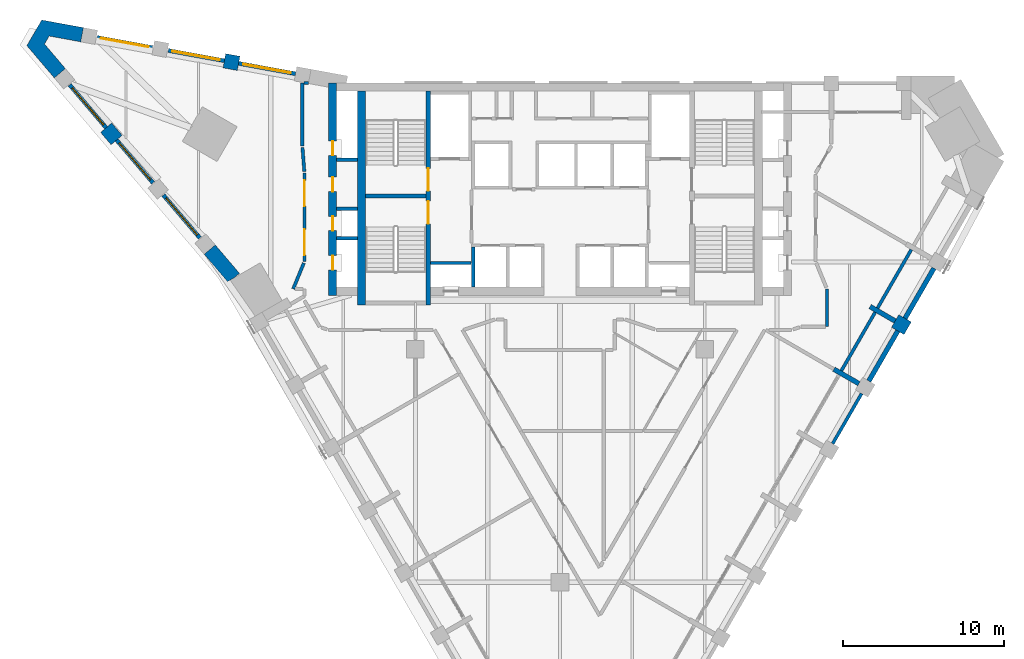
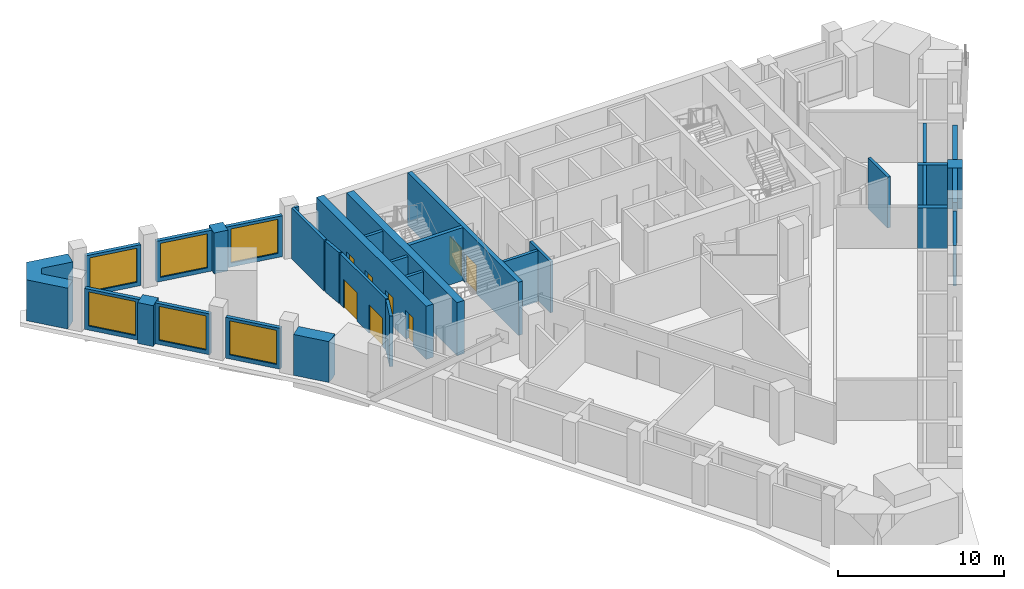
# One storey, part 5 of 9: 33 walls, 8 doors, 6 windows, 14 openings.
"""IFC4 building model written with IfcOpenShell, lengths in metres."""

from ifc_helpers import new_model, si_unit, direction, frame, frame_2d, origin, place, context, subcontext, project, spatial, polyline, rectangle, outline, extrude, material, layer, layer_set, type_object, element, fill, save


model = new_model("IFC4")

# Units and contexts
model_context = context("Model", 3, precision=1e-05, world=origin(), true_north=direction((0.0, 1.0)))
body_context = subcontext(model_context, "Body", "Model", "MODEL_VIEW")
ifc_project = project(units=[si_unit("LENGTHUNIT", "METRE"), si_unit("AREAUNIT", "SQUARE_METRE"), si_unit("VOLUMEUNIT", "CUBIC_METRE"), si_unit("PLANEANGLEUNIT", "RADIAN"), si_unit("MASSUNIT", "GRAM", prefix="KILO")], contexts=[model_context])

# Site, building, storey
site_placement = place(None, origin())
site = spatial("IfcSite", under=ifc_project, at=site_placement, CompositionType="ELEMENT")
building_placement = place(site_placement, origin())
building = spatial("IfcBuilding", under=site, at=building_placement, Name="Calabash Gate Tower", CompositionType="ELEMENT")
storey_placement = place(building_placement, frame((0.0, 0.0, 196.39990234375)))
storey = spatial("IfcBuildingStorey", under=building, at=storey_placement, Name="L46", CompositionType="ELEMENT", Elevation=196.39990234375)

# Walls
ifc_material_1 = material(Name="Terracotta brick masonry, exposed face", Category="masonry")
ifc_layer_1 = layer(ifc_material_1, 0.89990234375)
ifc_layer_set_1 = layer_set([ifc_layer_1], Name="Brick end wall 900")
wall_type_1 = type_object("IfcWallType", Name="Brick end wall 900", PredefinedType="SOLIDWALL", material=ifc_layer_set_1)
wall_1_placement = place(storey_placement, frame((21.4609375, 4.415771484375, 0.0), z_axis=(0.0, 0.0, 1.0), x_axis=(-0.499902469156, -0.866081705922, 0.0)))
element("IfcWall", 1, at=wall_1_placement, inside=storey, type_object=wall_type_1, Name="Brick pier S13 SE2.7", PredefinedType="SOLIDWALL", context=body_context, shape_type="SweptSolid", body=[
    extrude(rectangle(XDim=0.900146484375, YDim=0.89990234375, at=frame_2d((0.4501953125, 0.0))), origin(), (0.0, 0.0, 1.0), 3.0),
])
wall_2_placement = place(storey_placement, frame((-20.52099609375, 19.91796875, 0.0), z_axis=(0.0, 0.0, 1.0), x_axis=(0.180126650564, 0.983643426124, 0.0)))
element("IfcWall", 2, at=wall_2_placement, inside=storey, type_object=wall_type_1, Name="Brick pier S13 wedge5.1", PredefinedType="SOLIDWALL", context=body_context, shape_type="SweptSolid", body=[
    extrude(rectangle(XDim=0.89990234375, YDim=0.89990234375, at=frame_2d((0.449951171875, 0.0))), origin(), (0.0, 0.0, 1.0), 3.0),
])
wall_3_placement = place(storey_placement, frame((-27.587890625, 15.511474609375, 0.0), z_axis=(0.0, 0.0, 1.0), x_axis=(-0.647641360564, 0.761945318305, 0.0)))
element("IfcWall", 3, at=wall_3_placement, inside=storey, type_object=wall_type_1, Name="Brick pier S13 wedge7.1", PredefinedType="SOLIDWALL", context=body_context, shape_type="SweptSolid", body=[
    extrude(rectangle(XDim=1.00390625, YDim=0.89990234375, at=frame_2d((0.501953125, 0.0))), origin(), (0.0, 0.0, 1.0), 3.0),
])
wall_4_placement = place(storey_placement, origin())
element("IfcWall", 4, at=wall_4_placement, inside=storey, type_object=wall_type_1, Name="Brick end wall S13 2", PredefinedType="SOLIDWALL", context=body_context, shape_type="SweptSolid", body=[
    extrude(outline(polyline([(-31.784423828125, 21.978759765625), (-29.816650390625, 21.618896484375), (-29.654541015625, 22.504150390625), (-32.24658203125, 22.978271484375), (-33.168701171875, 21.38134765625), (-31.4619140625, 19.373779296875), (-30.776123046875, 19.956787109375), (-32.072021484375, 21.48095703125), (-31.784423828125, 21.978759765625)])), origin(), (0.0, 0.0, 1.0), 3.0),
])
wall_5_placement = place(storey_placement, origin())
element("IfcWall", 5, at=wall_5_placement, inside=storey, type_object=wall_type_1, Name="Brick end wall S13 3", PredefinedType="SOLIDWALL", context=body_context, shape_type="SweptSolid", body=[
    extrude(outline(polyline([(-19.947998046875, 7.2197265625), (-21.44921875, 8.985595703125), (-22.135009765625, 8.402587890625), (-20.66015625, 6.667724609375), (-20.6806640625, 6.703125), (-20.291015625, 6.92822265625), (-19.947998046875, 7.2197265625)])), origin(), (0.0, 0.0, 1.0), 3.0),
])
ifc_material_2 = material(Name="Terracotta brick masonry, exposed face", Category="masonry")
ifc_layer_2 = layer(ifc_material_2, 0.300048828125)
ifc_layer_set_2 = layer_set([ifc_layer_2], Name="Brick infill panel wall 300")
wall_type_2 = type_object("IfcWallType", Name="Brick infill panel wall 300", PredefinedType="SOLIDWALL", material=ifc_layer_set_2)
for number, where, z_axis, x_axis, name in (
    (6, (19.2109375, 0.5185546875, 0.0), (0.0, 0.0, 1.0), (0.500012057535, 0.866018442252, 0.0), "Brick panel S13 SE2.7"),
    (7, (21.4609375, 4.415771484375, 0.0), (0.0, 0.0, 1.0), (0.500012057535, 0.866018442252, 0.0), "Brick panel S13 SE2.8"),
):
    element("IfcWall", number, at=place(storey_placement, frame(where, z_axis=z_axis, x_axis=x_axis)), inside=storey, type_object=wall_type_2, Name=name, PredefinedType="SOLIDWALL", context=body_context, shape_type="SweptSolid", body=[
        extrude(rectangle(XDim=3.60009765625, YDim=0.300048828125, at=frame_2d((1.800048828125, 0.0))), origin(), (0.0, 0.0, 1.0), 3.0),
    ])
ifc_material_3 = material(Name="Terracotta brick masonry, exposed face", Category="masonry")
ifc_layer_3 = layer(ifc_material_3, 0.300048828125)
ifc_layer_set_3 = layer_set([ifc_layer_3], Name="Brick loggia cheek wall 300")
wall_type_3 = type_object("IfcWallType", Name="Brick loggia cheek wall 300", PredefinedType="SOLIDWALL", material=ifc_layer_set_3)
for number, where, z_axis, x_axis, name in (
    (8, (18.59619140625, 0.353759765625, 0.0), (0.0, 0.0, 1.0), (-0.865989075817, 0.500062916607, 0.0), "Loggia cheek S13 SE2.6"),
    (9, (20.84619140625, 4.2509765625, 0.0), (0.0, 0.0, 1.0), (-0.866047807691, 0.499961193289, 0.0), "Loggia cheek S13 SE2.7"),
):
    element("IfcWall", number, at=place(storey_placement, frame(where, z_axis=z_axis, x_axis=x_axis)), inside=storey, type_object=wall_type_3, Name=name, PredefinedType="SOLIDWALL", context=body_context, shape_type="SweptSolid", body=[
        extrude(rectangle(XDim=1.800048828125, YDim=0.300048828125, at=frame_2d((0.89990234375, 0.0))), origin(), (0.0, 0.0, 1.0), 3.0),
    ])
ifc_material_4 = material(Name="Concrete C70/85", Category="concrete")
ifc_layer_4 = layer(ifc_material_4, 0.25)
ifc_layer_set_4 = layer_set([ifc_layer_4], Name="Core wall 250 Concrete C70/85")
wall_type_4 = type_object("IfcWallType", Name="Core wall 250 Concrete C70/85", PredefinedType="SHEAR", material=ifc_layer_set_4)
wall_6_placement = place(storey_placement, frame((-12.10009765625, 12.027587890625, 0.0), z_axis=(0.0, 0.0, 1.0), x_axis=(1.0, 0.0, 0.0)))
element("IfcWall", 10, at=wall_6_placement, inside=storey, type_object=wall_type_4, Name="Core wall Z4-MIDW L46", PredefinedType="SHEAR", context=body_context, shape_type="SweptSolid", body=[
    extrude(rectangle(XDim=3.75, YDim=0.25, at=frame_2d((1.875, 0.0))), origin(), (0.0, 0.0, 1.0), 3.900146484375),
])

# Wall, openings, doors
ifc_material_5 = material(Name="Concrete C70/85", Category="concrete")
ifc_layer_5 = layer(ifc_material_5, 0.300048828125)
ifc_layer_set_5 = layer_set([ifc_layer_5], Name="Core wall 300 Concrete C70/85")
wall_type_5 = type_object("IfcWallType", Name="Core wall 300 Concrete C70/85", PredefinedType="SHEAR", material=ifc_layer_set_5)
wall_7_placement = place(storey_placement, frame((-8.199951171875, 5.252685546875, 0.0), z_axis=(0.0, 0.0, 1.0), x_axis=(0.0, 1.0, 0.0)))
wall_7 = element("IfcWall", 11, at=wall_7_placement, inside=storey, type_object=wall_type_5, Name="Core wall Z4-PARTW L46", PredefinedType="SHEAR", context=body_context, shape_type="SweptSolid", body=[
    extrude(rectangle(XDim=13.2998046875, YDim=0.300048828125, at=frame_2d((6.64990234375, 0.0))), origin(), (0.0, 0.0, 1.0), 3.900146484375),
])
opening_1_placement = place(wall_7_placement, frame((7.10009765625, 0.0, 0.0)))
opening_1 = element("IfcOpeningElement", 12, at=opening_1_placement, cuts=wall_7, Name="Opening O5-018", PredefinedType="OPENING", context=body_context, shape_type="SweptSolid", body=[
    extrude(rectangle(XDim=1.39990234375, YDim=2.10009765625, at=frame_2d((0.699951171875, 1.050048828125))), frame((0.0, 0.159912109375, 0.0), z_axis=(0.0, -1.0, 0.0), x_axis=(1.0, 0.0, 0.0)), (0.0, 0.0, 1.0), 0.320068359375),
])
opening_2_placement = place(wall_7_placement, frame((5.050048828125, 0.0, 0.0)))
opening_2 = element("IfcOpeningElement", 13, at=opening_2_placement, cuts=wall_7, Name="Opening O5-019", PredefinedType="OPENING", context=body_context, shape_type="SweptSolid", body=[
    extrude(rectangle(XDim=1.39990234375, YDim=2.10009765625, at=frame_2d((0.699951171875, 1.050048828125))), frame((0.0, 0.159912109375, 0.0), z_axis=(0.0, -1.0, 0.0), x_axis=(1.0, 0.0, 0.0)), (0.0, 0.0, 1.0), 0.320068359375),
])
ifc_material_6 = material(Name="Steel fire door set with fire-resisting glazing", Category="steel")
door_type_1 = type_object("IfcDoorType", Name="Fire door D05 1400x2100 FD90", OperationType="NOTDEFINED", PredefinedType="DOOR", material=ifc_material_6)
door_1_placement = place(opening_1_placement, origin())
door_1 = element("IfcDoor", 14, at=door_1_placement, inside=storey, type_object=door_type_1, Name="Exit stair door ST1", OperationType="SINGLE_SWING_LEFT", OverallHeight=2.10009765625, OverallWidth=1.39990234375, PredefinedType="DOOR", context=body_context, shape_type="SweptSolid", body=[
    extrude(rectangle(XDim=1.39990234375, YDim=2.10009765625, at=frame_2d((0.699951171875, 1.050048828125))), frame((0.0, 0.02490234375, 0.0), z_axis=(0.0, -1.0, 0.0), x_axis=(1.0, 0.0, 0.0)), (0.0, 0.0, 1.0), 0.050048828125),
])
fill(opening_1, door_1)
door_2_placement = place(opening_2_placement, origin())
door_2 = element("IfcDoor", 15, at=door_2_placement, inside=storey, type_object=door_type_1, Name="Exit stair door ST2", OperationType="SINGLE_SWING_LEFT", OverallHeight=2.10009765625, OverallWidth=1.39990234375, PredefinedType="DOOR", context=body_context, shape_type="SweptSolid", body=[
    extrude(rectangle(XDim=1.39990234375, YDim=2.10009765625, at=frame_2d((0.699951171875, 1.050048828125))), frame((0.0, 0.02490234375, 0.0), z_axis=(0.0, -1.0, 0.0), x_axis=(1.0, 0.0, 0.0)), (0.0, 0.0, 1.0), 0.050048828125),
])
fill(opening_2, door_2)

# Wall
ifc_material_7 = material(Name="Concrete C70/85", Category="concrete")
ifc_layer_6 = layer(ifc_material_7, 0.5)
ifc_layer_set_6 = layer_set([ifc_layer_6], Name="Core wall 500 Concrete C70/85")
wall_type_6 = type_object("IfcWallType", Name="Core wall 500 Concrete C70/85", PredefinedType="SHEAR", material=ifc_layer_set_6)
wall_8_placement = place(storey_placement, frame((-12.35009765625, 5.252685546875, 0.0), z_axis=(0.0, 0.0, 1.0), x_axis=(0.0, 1.0, 0.0)))
element("IfcWall", 16, at=wall_8_placement, inside=storey, type_object=wall_type_6, Name="Core wall Z4-COLW L46", PredefinedType="SHEAR", context=body_context, shape_type="SweptSolid", body=[
    extrude(rectangle(XDim=13.2998046875, YDim=0.5, at=frame_2d((6.64990234375, 0.0))), origin(), (0.0, 0.0, 1.0), 3.900146484375),
])

# Wall, openings, doors
wall_9_placement = place(storey_placement, frame((-14.14990234375, 5.8525390625, 0.0), z_axis=(0.0, 0.0, 1.0), x_axis=(0.0, 1.0, 0.0)))
wall_9 = element("IfcWall", 17, at=wall_9_placement, inside=storey, type_object=wall_type_6, Name="Core wall Z4-ENDW L46", PredefinedType="SHEAR", context=body_context, shape_type="SweptSolid", body=[
    extrude(rectangle(XDim=13.199951171875, YDim=0.5, at=frame_2d((6.60009765625, 0.0))), origin(), (0.0, 0.0, 1.0), 3.900146484375),
])
opening_3_placement = place(wall_9_placement, frame((1.574951171875, 0.0, 0.0)))
opening_3 = element("IfcOpeningElement", 18, at=opening_3_placement, cuts=wall_9, Name="Opening O5-005", PredefinedType="OPENING", context=body_context, shape_type="SweptSolid", body=[
    extrude(rectangle(XDim=0.89990234375, YDim=2.10009765625, at=frame_2d((0.449951171875, 1.050048828125))), frame((0.0, 0.260009765625, 0.0), z_axis=(0.0, -1.0, 0.0), x_axis=(1.0, 0.0, 0.0)), (0.0, 0.0, 1.0), 0.52001953125),
])
opening_4_placement = place(wall_9_placement, frame((4.014892578125, 0.0, 0.0)))
opening_4 = element("IfcOpeningElement", 19, at=opening_4_placement, cuts=wall_9, Name="Opening O5-006", PredefinedType="OPENING", context=body_context, shape_type="SweptSolid", body=[
    extrude(rectangle(XDim=0.89990234375, YDim=2.10009765625, at=frame_2d((0.449951171875, 1.050048828125))), frame((0.0, 0.260009765625, 0.0), z_axis=(0.0, -1.0, 0.0), x_axis=(1.0, 0.0, 0.0)), (0.0, 0.0, 1.0), 0.52001953125),
])
opening_5_placement = place(wall_9_placement, frame((6.455078125, 0.0, 0.0)))
opening_5 = element("IfcOpeningElement", 20, at=opening_5_placement, cuts=wall_9, Name="Opening O5-007", PredefinedType="OPENING", context=body_context, shape_type="SweptSolid", body=[
    extrude(rectangle(XDim=0.89990234375, YDim=2.10009765625, at=frame_2d((0.449951171875, 1.050048828125))), frame((0.0, 0.260009765625, 0.0), z_axis=(0.0, -1.0, 0.0), x_axis=(1.0, 0.0, 0.0)), (0.0, 0.0, 1.0), 0.52001953125),
])
opening_6_placement = place(wall_9_placement, frame((8.697509765625, 0.0, 0.0)))
opening_6 = element("IfcOpeningElement", 21, at=opening_6_placement, cuts=wall_9, Name="Opening O5-008", PredefinedType="OPENING", context=body_context, shape_type="SweptSolid", body=[
    extrude(rectangle(XDim=0.89990234375, YDim=2.10009765625, at=frame_2d((0.449951171875, 1.050048828125))), frame((0.0, 0.260009765625, 0.0), z_axis=(0.0, -1.0, 0.0), x_axis=(1.0, 0.0, 0.0)), (0.0, 0.0, 1.0), 0.52001953125),
])
ifc_material_8 = material(Name="Steel fire door set with fire-resisting glazing", Category="steel")
door_type_2 = type_object("IfcDoorType", Name="Fire door D06 900x2100 FD60", OperationType="NOTDEFINED", PredefinedType="DOOR", material=ifc_material_8)
door_3_placement = place(opening_3_placement, origin())
door_3 = element("IfcDoor", 22, at=door_3_placement, inside=storey, type_object=door_type_2, Name="Electrical Riser door", OperationType="SINGLE_SWING_LEFT", OverallHeight=2.10009765625, OverallWidth=0.89990234375, PredefinedType="DOOR", context=body_context, shape_type="SweptSolid", body=[
    extrude(rectangle(XDim=0.89990234375, YDim=2.10009765625, at=frame_2d((0.449951171875, 1.050048828125))), frame((0.0, 0.02490234375, 0.0), z_axis=(0.0, -1.0, 0.0), x_axis=(1.0, 0.0, 0.0)), (0.0, 0.0, 1.0), 0.050048828125),
])
fill(opening_3, door_3)
door_4_placement = place(opening_4_placement, origin())
door_4 = element("IfcDoor", 23, at=door_4_placement, inside=storey, type_object=door_type_2, Name="Comms Riser door", OperationType="SINGLE_SWING_LEFT", OverallHeight=2.10009765625, OverallWidth=0.89990234375, PredefinedType="DOOR", context=body_context, shape_type="SweptSolid", body=[
    extrude(rectangle(XDim=0.89990234375, YDim=2.10009765625, at=frame_2d((0.449951171875, 1.050048828125))), frame((0.0, 0.02490234375, 0.0), z_axis=(0.0, -1.0, 0.0), x_axis=(1.0, 0.0, 0.0)), (0.0, 0.0, 1.0), 0.050048828125),
])
fill(opening_4, door_4)
door_5_placement = place(opening_5_placement, origin())
door_5 = element("IfcDoor", 24, at=door_5_placement, inside=storey, type_object=door_type_2, Name="Cleaner's Store door", OperationType="SINGLE_SWING_LEFT", OverallHeight=2.10009765625, OverallWidth=0.89990234375, PredefinedType="DOOR", context=body_context, shape_type="SweptSolid", body=[
    extrude(rectangle(XDim=0.89990234375, YDim=2.10009765625, at=frame_2d((0.449951171875, 1.050048828125))), frame((0.0, 0.02490234375, 0.0), z_axis=(0.0, -1.0, 0.0), x_axis=(1.0, 0.0, 0.0)), (0.0, 0.0, 1.0), 0.050048828125),
])
fill(opening_5, door_5)
door_6_placement = place(opening_6_placement, origin())
door_6 = element("IfcDoor", 25, at=door_6_placement, inside=storey, type_object=door_type_2, Name="Duct Riser door", OperationType="SINGLE_SWING_LEFT", OverallHeight=2.10009765625, OverallWidth=0.89990234375, PredefinedType="DOOR", context=body_context, shape_type="SweptSolid", body=[
    extrude(rectangle(XDim=0.89990234375, YDim=2.10009765625, at=frame_2d((0.449951171875, 1.050048828125))), frame((0.0, 0.02490234375, 0.0), z_axis=(0.0, -1.0, 0.0), x_axis=(1.0, 0.0, 0.0)), (0.0, 0.0, 1.0), 0.050048828125),
])
fill(opening_6, door_6)

# Walls
ifc_material_9 = material(Name="Gypsum board on steel studs, mineral wool", Category="steel")
ifc_layer_7 = layer(ifc_material_9, 0.199951171875)
ifc_layer_set_7 = layer_set([ifc_layer_7], Name="Partition 200 gypsum board EI 60")
wall_type_7 = type_object("IfcWallType", Name="Partition 200 gypsum board EI 60", PredefinedType="PARTITIONING", material=ifc_layer_set_7)
wall_10_placement = place(storey_placement, frame((-16.6005859375, 6.252685546875, 0.0), z_axis=(0.0, 0.0, 1.0), x_axis=(0.380742741509, 0.924681007044, 0.0)))
element("IfcWall", 26, at=wall_10_placement, inside=storey, type_object=wall_type_7, Name="Partition", PredefinedType="PARTITIONING", context=body_context, shape_type="SweptSolid", body=[
    extrude(rectangle(XDim=1.73828125, YDim=0.199951171875, at=frame_2d((0.869140625, 0.0))), origin(), (0.0, 0.0, 1.0), 3.72998046875),
])
wall_11_placement = place(storey_placement, frame((16.6005859375, 3.89990234375, 0.0), z_axis=(0.0, 0.0, 1.0), x_axis=(0.0, 1.0, 0.0)))
element("IfcWall", 27, at=wall_11_placement, inside=storey, type_object=wall_type_7, Name="Partition", PredefinedType="PARTITIONING", context=body_context, shape_type="SweptSolid", body=[
    extrude(rectangle(XDim=2.352783203125, YDim=0.199951171875, at=frame_2d((1.17626953125, 0.0))), origin(), (0.0, 0.0, 1.0), 3.72998046875),
])

# Wall, openings, doors
wall_12_placement = place(storey_placement, frame((-15.900390625, 7.95263671875, 0.0), z_axis=(0.0, 0.0, 1.0), x_axis=(0.0, 1.0, 0.0)))
wall_12 = element("IfcWall", 28, at=wall_12_placement, inside=storey, type_object=wall_type_7, Name="Partition", PredefinedType="PARTITIONING", context=body_context, shape_type="SweptSolid", body=[
    extrude(rectangle(XDim=5.499755859375, YDim=0.199951171875, at=frame_2d((2.75, 0.0))), origin(), (0.0, 0.0, 1.0), 3.72998046875),
])
opening_7_placement = place(wall_12_placement, frame((0.39990234375, 0.0, 0.0)))
opening_7 = element("IfcOpeningElement", 29, at=opening_7_placement, cuts=wall_12, Name="Opening 46-48-006", PredefinedType="OPENING", context=body_context, shape_type="SweptSolid", body=[
    extrude(rectangle(XDim=1.60009765625, YDim=2.10009765625, at=frame_2d((0.800048828125, 1.050048828125))), frame((0.0, 0.10986328125, 0.0), z_axis=(0.0, -1.0, 0.0), x_axis=(1.0, 0.0, 0.0)), (0.0, 0.0, 1.0), 0.219970703125),
])
opening_8_placement = place(wall_12_placement, frame((3.44970703125, 0.0, 0.0)))
opening_8 = element("IfcOpeningElement", 30, at=opening_8_placement, cuts=wall_12, Name="Opening 46-48-007", PredefinedType="OPENING", context=body_context, shape_type="SweptSolid", body=[
    extrude(rectangle(XDim=1.60009765625, YDim=2.10009765625, at=frame_2d((0.800048828125, 1.050048828125))), frame((0.0, 0.10986328125, 0.0), z_axis=(0.0, -1.0, 0.0), x_axis=(1.0, 0.0, 0.0)), (0.0, 0.0, 1.0), 0.219970703125),
])
ifc_material_10 = material(Name="Steel fire door set with fire-resisting glazing", Category="steel")
door_type_3 = type_object("IfcDoorType", Name="LD1 Lounge double door 1600x2100", OperationType="NOTDEFINED", PredefinedType="DOOR", material=ifc_material_10)
door_7_placement = place(opening_7_placement, origin())
door_7 = element("IfcDoor", 31, at=door_7_placement, inside=storey, type_object=door_type_3, Name="Lounge double door", OperationType="DOUBLE_DOOR_SINGLE_SWING", OverallHeight=2.10009765625, OverallWidth=1.60009765625, PredefinedType="DOOR", context=body_context, shape_type="SweptSolid", body=[
    extrude(rectangle(XDim=1.60009765625, YDim=2.10009765625, at=frame_2d((0.800048828125, 1.050048828125))), frame((0.0, 0.02490234375, 0.0), z_axis=(0.0, -1.0, 0.0), x_axis=(1.0, 0.0, 0.0)), (0.0, 0.0, 1.0), 0.050048828125),
])
fill(opening_7, door_7)
door_8_placement = place(opening_8_placement, origin())
door_8 = element("IfcDoor", 32, at=door_8_placement, inside=storey, type_object=door_type_3, Name="Lounge double door", OperationType="DOUBLE_DOOR_SINGLE_SWING", OverallHeight=2.10009765625, OverallWidth=1.60009765625, PredefinedType="DOOR", context=body_context, shape_type="SweptSolid", body=[
    extrude(rectangle(XDim=1.60009765625, YDim=2.10009765625, at=frame_2d((0.800048828125, 1.050048828125))), frame((0.0, 0.02490234375, 0.0), z_axis=(0.0, -1.0, 0.0), x_axis=(1.0, 0.0, 0.0)), (0.0, 0.0, 1.0), 0.050048828125),
])
fill(opening_8, door_8)

# Walls
wall_13_placement = place(storey_placement, frame((-16.024169921875, 15.052978515625, 0.0), z_axis=(0.0, 0.0, 1.0), x_axis=(0.07704378759, -0.997027710143, 0.0)))
element("IfcWall", 33, at=wall_13_placement, inside=storey, type_object=wall_type_7, Name="Partition", PredefinedType="PARTITIONING", context=body_context, shape_type="SweptSolid", body=[
    extrude(rectangle(XDim=1.505126953125, YDim=0.199951171875, at=frame_2d((0.75244140625, 0.0))), origin(), (0.0, 0.0, 1.0), 3.72998046875),
])
wall_14_placement = place(storey_placement, frame((-16.031982421875, 15.152587890625, 0.0), z_axis=(0.0, 0.0, 1.0), x_axis=(0.0, 1.0, 0.0)))
element("IfcWall", 34, at=wall_14_placement, inside=storey, type_object=wall_type_7, Name="Partition", PredefinedType="PARTITIONING", context=body_context, shape_type="SweptSolid", body=[
    extrude(rectangle(XDim=3.89990234375, YDim=0.199951171875, at=frame_2d((1.949951171875, 0.0))), origin(), (0.0, 0.0, 1.0), 3.72998046875),
])
wall_15_placement = place(storey_placement, frame((-15.931884765625, 19.052490234375, 0.0), z_axis=(0.0, 0.0, 1.0), x_axis=(1.0, 0.0, 0.0)))
element("IfcWall", 35, at=wall_15_placement, inside=storey, type_object=wall_type_7, Name="Partition", PredefinedType="PARTITIONING", context=body_context, shape_type="SweptSolid", body=[
    extrude(rectangle(XDim=0.28515625, YDim=0.199951171875, at=frame_2d((0.142578125, 0.0))), origin(), (0.0, 0.0, 1.0), 3.72998046875),
])

# Wall, opening, window
ifc_material_11 = material(Name="Aluminium framed window wall with insulated spandrel", Category="aluminium")
ifc_layer_8 = layer(ifc_material_11, 0.25)
ifc_layer_set_8 = layer_set([ifc_layer_8], Name="Prow window wall 250")
wall_type_8 = type_object("IfcWallType", Name="Prow window wall 250", PredefinedType="ELEMENTEDWALL", material=ifc_layer_set_8)
wall_16_placement = place(storey_placement, frame((-16.4560546875, 19.631591796875, 0.0), z_axis=(0.0, 0.0, 1.0), x_axis=(-0.983669647318, 0.17998340186, 0.0)))
wall_16 = element("IfcWall", 36, at=wall_16_placement, inside=storey, type_object=wall_type_8, Name="Prow window wall S13 wedge5.1", PredefinedType="ELEMENTEDWALL", context=body_context, shape_type="SweptSolid", body=[
    extrude(rectangle(XDim=3.60009765625, YDim=0.25, at=frame_2d((1.800048828125, 0.0))), origin(), (0.0, 0.0, 1.0), 3.0),
])
opening_9_placement = place(wall_16_placement, frame((0.300048828125, 0.0, 0.300048828125)))
opening_9 = element("IfcOpeningElement", 37, at=opening_9_placement, cuts=wall_16, Name="Opening WP2", PredefinedType="OPENING", context=body_context, shape_type="SweptSolid", body=[
    extrude(rectangle(XDim=3.0, YDim=2.5, at=frame_2d((1.5, 1.25))), frame((0.0, 0.135009765625, 0.0), z_axis=(0.0, -1.0, 0.0), x_axis=(1.0, 0.0, 0.0)), (0.0, 0.0, 1.0), 0.27001953125),
])
ifc_material_12 = material(Name="Anodised aluminium frame, bronze finish, impact-rated laminated clear glazing", Category="aluminium")
window_type = type_object("IfcWindowType", Name="Window WP2 3000x2500", PartitioningType="DOUBLE_PANEL_VERTICAL", PredefinedType="WINDOW", material=ifc_material_12)
window_1_placement = place(opening_9_placement, origin())
window_1 = element("IfcWindow", 38, at=window_1_placement, inside=storey, type_object=window_type, Name="Prow window WP2 S13 wedge5.1", OverallHeight=2.5, OverallWidth=3.0, PartitioningType="SINGLE_PANEL", PredefinedType="WINDOW", context=body_context, shape_type="SweptSolid", body=[
    extrude(rectangle(XDim=3.0, YDim=2.5, at=frame_2d((1.5, 1.25))), frame((0.0, 0.030029296875, 0.0), z_axis=(0.0, -1.0, 0.0), x_axis=(1.0, 0.0, 0.0)), (0.0, 0.0, 1.0), 0.06005859375),
])
fill(opening_9, window_1)

wall_17_placement = place(storey_placement, frame((-20.880615234375, 20.441162109375, 0.0), z_axis=(0.0, 0.0, 1.0), x_axis=(-0.98366583261, 0.180004249274, 0.0)))
wall_17 = element("IfcWall", 39, at=wall_17_placement, inside=storey, type_object=wall_type_8, Name="Prow window wall S13 wedge5.2", PredefinedType="ELEMENTEDWALL", context=body_context, shape_type="SweptSolid", body=[
    extrude(rectangle(XDim=3.55224609375, YDim=0.25, at=frame_2d((1.776123046875, 0.0))), origin(), (0.0, 0.0, 1.0), 3.0),
])
opening_10_placement = place(wall_17_placement, frame((0.302001953125, 0.0, 0.300048828125)))
opening_10 = element("IfcOpeningElement", 40, at=opening_10_placement, cuts=wall_17, Name="Opening WP2", PredefinedType="OPENING", context=body_context, shape_type="SweptSolid", body=[
    extrude(rectangle(XDim=3.0, YDim=2.5, at=frame_2d((1.5, 1.25))), frame((0.0, 0.135009765625, 0.0), z_axis=(0.0, -1.0, 0.0), x_axis=(1.0, 0.0, 0.0)), (0.0, 0.0, 1.0), 0.27001953125),
])
window_2_placement = place(opening_10_placement, origin())
window_2 = element("IfcWindow", 41, at=window_2_placement, inside=storey, type_object=window_type, Name="Prow window WP2 S13 wedge5.2", OverallHeight=2.5, OverallWidth=3.0, PartitioningType="SINGLE_PANEL", PredefinedType="WINDOW", context=body_context, shape_type="SweptSolid", body=[
    extrude(rectangle(XDim=3.0, YDim=2.5, at=frame_2d((1.5, 1.25))), frame((0.0, 0.030029296875, 0.0), z_axis=(0.0, -1.0, 0.0), x_axis=(1.0, 0.0, 0.0)), (0.0, 0.0, 1.0), 0.06005859375),
])
fill(opening_10, window_2)

wall_18_placement = place(storey_placement, frame((-25.3583984375, 21.260498046875, 0.0), z_axis=(0.0, 0.0, 1.0), x_axis=(-0.983672889292, 0.179965682483, 0.0)))
wall_18 = element("IfcWall", 42, at=wall_18_placement, inside=storey, type_object=wall_type_8, Name="Prow window wall S13 wedge5.3", PredefinedType="ELEMENTEDWALL", context=body_context, shape_type="SweptSolid", body=[
    extrude(rectangle(XDim=3.5, YDim=0.25, at=frame_2d((1.75, 0.0))), origin(), (0.0, 0.0, 1.0), 3.0),
])
opening_11_placement = place(wall_18_placement, frame((0.25, 0.0, 0.300048828125)))
opening_11 = element("IfcOpeningElement", 43, at=opening_11_placement, cuts=wall_18, Name="Opening WP2", PredefinedType="OPENING", context=body_context, shape_type="SweptSolid", body=[
    extrude(rectangle(XDim=3.0, YDim=2.5, at=frame_2d((1.5, 1.25))), frame((0.0, 0.135009765625, 0.0), z_axis=(0.0, -1.0, 0.0), x_axis=(1.0, 0.0, 0.0)), (0.0, 0.0, 1.0), 0.27001953125),
])
window_3_placement = place(opening_11_placement, origin())
window_3 = element("IfcWindow", 44, at=window_3_placement, inside=storey, type_object=window_type, Name="Prow window WP2 S13 wedge5.3", OverallHeight=2.5, OverallWidth=3.0, PartitioningType="SINGLE_PANEL", PredefinedType="WINDOW", context=body_context, shape_type="SweptSolid", body=[
    extrude(rectangle(XDim=3.0, YDim=2.5, at=frame_2d((1.5, 1.25))), frame((0.0, 0.030029296875, 0.0), z_axis=(0.0, -1.0, 0.0), x_axis=(1.0, 0.0, 0.0)), (0.0, 0.0, 1.0), 0.06005859375),
])
fill(opening_11, window_3)

wall_19_placement = place(storey_placement, frame((-30.503662109375, 18.94140625, 0.0), z_axis=(0.0, 0.0, 1.0), x_axis=(0.647701065937, -0.761894565661, 0.0)))
wall_19 = element("IfcWall", 45, at=wall_19_placement, inside=storey, type_object=wall_type_8, Name="Prow window wall S13 wedge7.1", PredefinedType="ELEMENTEDWALL", context=body_context, shape_type="SweptSolid", body=[
    extrude(rectangle(XDim=3.499755859375, YDim=0.25, at=frame_2d((1.75, 0.0))), origin(), (0.0, 0.0, 1.0), 3.0),
])
opening_12_placement = place(wall_19_placement, frame((0.25, 0.0, 0.300048828125)))
opening_12 = element("IfcOpeningElement", 46, at=opening_12_placement, cuts=wall_19, Name="Opening WP2", PredefinedType="OPENING", context=body_context, shape_type="SweptSolid", body=[
    extrude(rectangle(XDim=3.0, YDim=2.5, at=frame_2d((1.5, 1.25))), frame((0.0, 0.135009765625, 0.0), z_axis=(0.0, -1.0, 0.0), x_axis=(1.0, 0.0, 0.0)), (0.0, 0.0, 1.0), 0.27001953125),
])
window_4_placement = place(opening_12_placement, origin())
window_4 = element("IfcWindow", 47, at=window_4_placement, inside=storey, type_object=window_type, Name="Prow window WP2 S13 wedge7.1", OverallHeight=2.5, OverallWidth=3.0, PartitioningType="SINGLE_PANEL", PredefinedType="WINDOW", context=body_context, shape_type="SweptSolid", body=[
    extrude(rectangle(XDim=3.0, YDim=2.5, at=frame_2d((1.5, 1.25))), frame((0.0, 0.030029296875, 0.0), z_axis=(0.0, -1.0, 0.0), x_axis=(1.0, 0.0, 0.0)), (0.0, 0.0, 1.0), 0.06005859375),
])
fill(opening_12, window_4)

wall_20_placement = place(storey_placement, frame((-27.589111328125, 15.512939453125, 0.0), z_axis=(0.0, 0.0, 1.0), x_axis=(0.647741556426, -0.761860142073, 0.0)))
wall_20 = element("IfcWall", 48, at=wall_20_placement, inside=storey, type_object=wall_type_8, Name="Prow window wall S13 wedge7.2", PredefinedType="ELEMENTEDWALL", context=body_context, shape_type="SweptSolid", body=[
    extrude(rectangle(XDim=3.5, YDim=0.25, at=frame_2d((1.75, 0.0))), origin(), (0.0, 0.0, 1.0), 3.0),
])
opening_13_placement = place(wall_20_placement, frame((0.25, 0.0, 0.300048828125)))
opening_13 = element("IfcOpeningElement", 49, at=opening_13_placement, cuts=wall_20, Name="Opening WP2", PredefinedType="OPENING", context=body_context, shape_type="SweptSolid", body=[
    extrude(rectangle(XDim=3.0, YDim=2.5, at=frame_2d((1.5, 1.25))), frame((0.0, 0.135009765625, 0.0), z_axis=(0.0, -1.0, 0.0), x_axis=(1.0, 0.0, 0.0)), (0.0, 0.0, 1.0), 0.27001953125),
])
window_5_placement = place(opening_13_placement, origin())
window_5 = element("IfcWindow", 50, at=window_5_placement, inside=storey, type_object=window_type, Name="Prow window WP2 S13 wedge7.2", OverallHeight=2.5, OverallWidth=3.0, PartitioningType="SINGLE_PANEL", PredefinedType="WINDOW", context=body_context, shape_type="SweptSolid", body=[
    extrude(rectangle(XDim=3.0, YDim=2.5, at=frame_2d((1.5, 1.25))), frame((0.0, 0.030029296875, 0.0), z_axis=(0.0, -1.0, 0.0), x_axis=(1.0, 0.0, 0.0)), (0.0, 0.0, 1.0), 0.06005859375),
])
fill(opening_13, window_5)

wall_21_placement = place(storey_placement, frame((-24.67431640625, 12.08447265625, 0.0), z_axis=(0.0, 0.0, 1.0), x_axis=(0.647701065937, -0.761894565661, 0.0)))
wall_21 = element("IfcWall", 51, at=wall_21_placement, inside=storey, type_object=wall_type_8, Name="Prow window wall S13 wedge7.3", PredefinedType="ELEMENTEDWALL", context=body_context, shape_type="SweptSolid", body=[
    extrude(rectangle(XDim=3.499755859375, YDim=0.25, at=frame_2d((1.75, 0.0))), origin(), (0.0, 0.0, 1.0), 3.0),
])
opening_14_placement = place(wall_21_placement, frame((0.25, 0.0, 0.300048828125)))
opening_14 = element("IfcOpeningElement", 52, at=opening_14_placement, cuts=wall_21, Name="Opening WP2", PredefinedType="OPENING", context=body_context, shape_type="SweptSolid", body=[
    extrude(rectangle(XDim=3.0, YDim=2.5, at=frame_2d((1.5, 1.25))), frame((0.0, 0.135009765625, 0.0), z_axis=(0.0, -1.0, 0.0), x_axis=(1.0, 0.0, 0.0)), (0.0, 0.0, 1.0), 0.27001953125),
])
window_6_placement = place(opening_14_placement, origin())
window_6 = element("IfcWindow", 53, at=window_6_placement, inside=storey, type_object=window_type, Name="Prow window WP2 S13 wedge7.3", OverallHeight=2.5, OverallWidth=3.0, PartitioningType="SINGLE_PANEL", PredefinedType="WINDOW", context=body_context, shape_type="SweptSolid", body=[
    extrude(rectangle(XDim=3.0, YDim=2.5, at=frame_2d((1.5, 1.25))), frame((0.0, 0.030029296875, 0.0), z_axis=(0.0, -1.0, 0.0), x_axis=(1.0, 0.0, 0.0)), (0.0, 0.0, 1.0), 0.06005859375),
])
fill(opening_14, window_6)

# Walls
ifc_material_13 = material(Name="Concrete C40/50", Category="concrete")
ifc_layer_9 = layer(ifc_material_13, 0.199951171875)
ifc_layer_set_9 = layer_set([ifc_layer_9], Name="Shaft wall 200 Concrete C40/50")
wall_type_9 = type_object("IfcWallType", Name="Shaft wall 200 Concrete C40/50", PredefinedType="SOLIDWALL", material=ifc_layer_set_9)
for number, where, z_axis, x_axis, name in (
    (54, (-5.39990234375, 6.3525390625, 0.0), (0.0, 0.0, 1.0), (0.0, 1.0, 0.0), "Shaft wall"),
    (55, (-8.050048828125, 7.8525390625, 0.0), (0.0, 0.0, 1.0), (1.0, 0.0, 0.0), "Shaft wall"),
):
    element("IfcWall", number, at=place(storey_placement, frame(where, z_axis=z_axis, x_axis=x_axis)), inside=storey, type_object=wall_type_9, Name=name, PredefinedType="SOLIDWALL", context=body_context, shape_type="SweptSolid", body=[
        extrude(rectangle(XDim=2.5, YDim=0.199951171875, at=frame_2d((1.25, 0.0))), origin(), (0.0, 0.0, 1.0), 3.72998046875),
    ])
for number, where, z_axis, x_axis, name in (
    (56, (-13.89990234375, 9.402587890625, 0.0), (0.0, 0.0, 1.0), (1.0, 0.0, 0.0), "Shaft wall"),
    (57, (-13.89990234375, 11.232666015625, 0.0), (0.0, 0.0, 1.0), (1.0, 0.0, 0.0), "Shaft wall"),
    (58, (-13.89990234375, 14.28271484375, 0.0), (0.0, 0.0, 1.0), (1.0, 0.0, 0.0), "Shaft wall"),
):
    element("IfcWall", number, at=place(storey_placement, frame(where, z_axis=z_axis, x_axis=x_axis)), inside=storey, type_object=wall_type_9, Name=name, PredefinedType="SOLIDWALL", context=body_context, shape_type="SweptSolid", body=[
        extrude(rectangle(XDim=1.2998046875, YDim=0.199951171875, at=frame_2d((0.64990234375, 0.0))), origin(), (0.0, 0.0, 1.0), 3.72998046875),
    ])
ifc_material_14 = material(Name="Terracotta brick masonry, perforated", Category="masonry")
ifc_layer_10 = layer(ifc_material_14, 0.199951171875)
ifc_layer_set_10 = layer_set([ifc_layer_10], Name="Terracotta jaali screen A")
wall_type_10 = type_object("IfcWallType", Name="Terracotta jaali screen A", PredefinedType="SOLIDWALL", material=ifc_layer_set_10)
wall_22_placement = place(storey_placement, frame((16.9609375, -3.378662109375, 0.0), z_axis=(0.0, 0.0, 1.0), x_axis=(0.499982693035, 0.866035395735, 0.0)))
element("IfcWall", 59, at=wall_22_placement, inside=storey, type_object=wall_type_10, Name="SCREEN A S13 SE2.6", PredefinedType="SOLIDWALL", context=body_context, shape_type="SweptSolid", body=[
    extrude(rectangle(XDim=3.600341796875, YDim=0.199951171875, at=frame_2d((1.80029296875, 0.0))), origin(), (0.0, 0.0, 1.0), 3.0),
])
ifc_material_15 = material(Name="Aluminium framed window wall with insulated spandrel", Category="aluminium")
ifc_layer_11 = layer(ifc_material_15, 0.199951171875)
ifc_layer_set_11 = layer_set([ifc_layer_11], Name="Window wall 200")
wall_type_11 = type_object("IfcWallType", Name="Window wall 200", PredefinedType="ELEMENTEDWALL", material=ifc_layer_set_11)
wall_23_placement = place(storey_placement, frame((17.501953125, 1.15869140625, 0.0), z_axis=(0.0, 0.0, 1.0), x_axis=(0.500002543286, 0.866023935413, 0.0)))
element("IfcWall", 60, at=wall_23_placement, inside=storey, type_object=wall_type_11, Name="Window wall S13 SE2.7", PredefinedType="ELEMENTEDWALL", context=body_context, shape_type="SweptSolid", body=[
    extrude(rectangle(XDim=4.2001953125, YDim=0.199951171875, at=frame_2d((2.10009765625, 0.0))), origin(), (0.0, 0.0, 1.0), 3.0),
])
wall_24_placement = place(storey_placement, frame((19.751953125, 5.055908203125, 0.0), z_axis=(0.0, 0.0, 1.0), x_axis=(0.500027713859, 0.866009402589, 0.0)))
element("IfcWall", 61, at=wall_24_placement, inside=storey, type_object=wall_type_11, Name="Window wall S13 SE2.8", PredefinedType="ELEMENTEDWALL", context=body_context, shape_type="SweptSolid", body=[
    extrude(rectangle(XDim=4.199951171875, YDim=0.199951171875, at=frame_2d((2.10009765625, 0.0))), origin(), (0.0, 0.0, 1.0), 2.9501953125),
])

save(model, "model.ifc")
